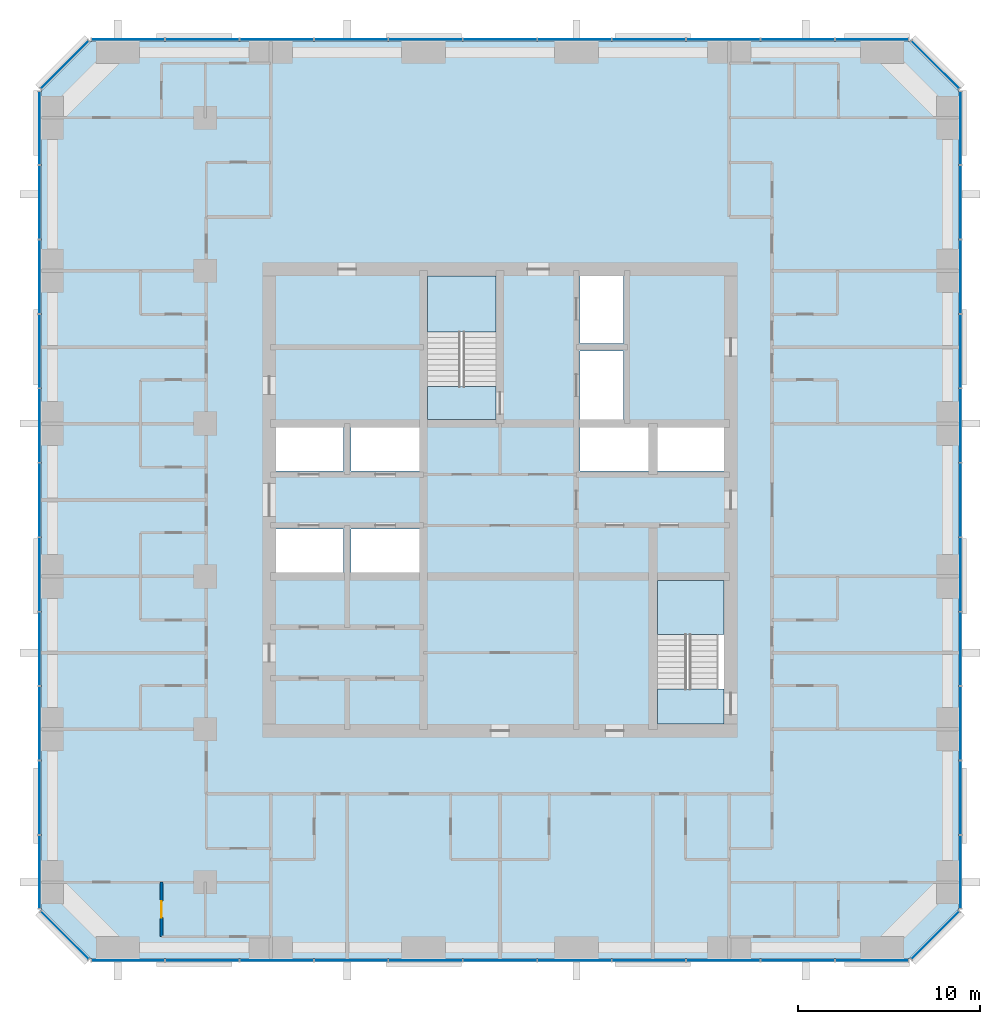
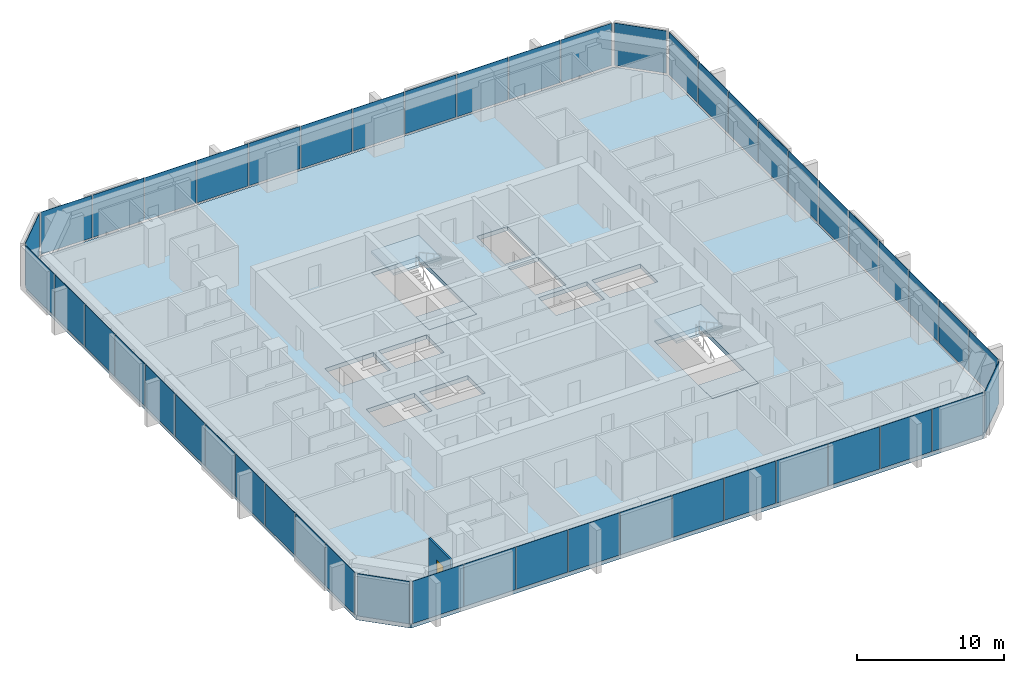
# One storey, part 7 of 13: 48 plates, 5 slabs, 1 door, 1 wall, 1 opening, 10 elements without a shape of their own.
"""IFC4 building model written with IfcOpenShell, lengths in metres."""

from ifc_helpers import new_model, si_unit, direction, frame, frame_2d, origin, origin_2d, place, context, subcontext, project, spatial, polyline, rectangle, outline, extrude, material, layer, layer_set, type_object, element, fill, aggregate, save


model = new_model("IFC4")

# Units and contexts
model_context = context("Model", 3, precision=1e-05, world=origin(), true_north=direction((0.0, 1.0)))
body_context = subcontext(model_context, "Body", "Model", "MODEL_VIEW")
ifc_project = project(units=[si_unit("LENGTHUNIT", "METRE"), si_unit("AREAUNIT", "SQUARE_METRE"), si_unit("VOLUMEUNIT", "CUBIC_METRE"), si_unit("PLANEANGLEUNIT", "RADIAN"), si_unit("MASSUNIT", "GRAM", prefix="KILO")], contexts=[model_context])

# Site, building, storey
site_placement = place(None, origin())
site = spatial("IfcSite", under=ifc_project, at=site_placement, CompositionType="ELEMENT")
building_placement = place(site_placement, origin())
building = spatial("IfcBuilding", under=site, at=building_placement, Name="Dunama Terrace Hotel", CompositionType="ELEMENT")
storey_placement = place(building_placement, frame((0.0, 0.0, 173.39990234375)))
storey = spatial("IfcBuildingStorey", under=building, at=storey_placement, Name="L44", CompositionType="ELEMENT", Elevation=173.39990234375)

# Curtain wall, plates
ifc_material_1 = material(Name="Aluminium curtain wall system", Category="aluminium")
curtain_wall_type = type_object("IfcCurtainWallType", Name="Unitised fritted glass wall CW-C", PredefinedType="NOTDEFINED", material=ifc_material_1)
curtain_wall_1_placement = place(storey_placement, origin())
curtain_wall_1 = element("IfcCurtainWall", 1, at=curtain_wall_1_placement, inside=storey, type_object=curtain_wall_type, Name="Unitised fritted glass wall CW-C L44", PredefinedType="NOTDEFINED")
ifc_material_2 = material(Name="Laminated glass", Category="glass")
ifc_layer_1 = layer(ifc_material_2, 0.031982421875)
ifc_layer_set_1 = layer_set([ifc_layer_1], Name="CWC clear glass panel")
plate_type_1 = type_object("IfcPlateType", Name="CWC clear glass panel", PredefinedType="CURTAIN_PANEL", material=ifc_layer_set_1)
plate_1_placement = place(storey_placement, frame((8.962890625, 4.10009765625, 0.080078125), z_axis=(0.0, 0.0, 1.0), x_axis=(1.0, 0.0, 0.0)))
plate_1 = element("IfcPlate", 2, at=plate_1_placement, type_object=plate_type_1, Name="CWC clear glass panel", PredefinedType="CURTAIN_PANEL", context=body_context, shape_type="SweptSolid", body=[
    extrude(rectangle(XDim=3.98583984375, YDim=0.031982421875, at=origin_2d()), origin(), (0.0, 0.0, 1.0), 3.52001953125),
])
plate_2_placement = place(storey_placement, frame((21.218017578125, 4.10009765625, 0.080078125), z_axis=(0.0, 0.0, 1.0), x_axis=(1.0, 0.0, 0.0)))
plate_2 = element("IfcPlate", 3, at=plate_2_placement, type_object=plate_type_1, Name="CWC clear glass panel", PredefinedType="CURTAIN_PANEL", context=body_context, shape_type="SweptSolid", body=[
    extrude(rectangle(XDim=4.02099609375, YDim=0.031982421875, at=origin_2d()), origin(), (0.0, 0.0, 1.0), 3.52001953125),
])
plate_3_placement = place(storey_placement, frame((33.490966796875, 4.10009765625, 0.080078125), z_axis=(0.0, 0.0, 1.0), x_axis=(1.0, 0.0, 0.0)))
plate_3 = element("IfcPlate", 4, at=plate_3_placement, type_object=plate_type_1, Name="CWC clear glass panel", PredefinedType="CURTAIN_PANEL", context=body_context, shape_type="SweptSolid", body=[
    extrude(rectangle(XDim=4.02099609375, YDim=0.031982421875, at=origin_2d()), origin(), (0.0, 0.0, 1.0), 3.52001953125),
])
plate_4_placement = place(storey_placement, frame((45.763916015625, 4.10009765625, 0.080078125), z_axis=(0.0, 0.0, 1.0), x_axis=(1.0, 0.0, 0.0)))
plate_4 = element("IfcPlate", 5, at=plate_4_placement, type_object=plate_type_1, Name="CWC clear glass panel", PredefinedType="CURTAIN_PANEL", context=body_context, shape_type="SweptSolid", body=[
    extrude(rectangle(XDim=4.02099609375, YDim=0.031982421875, at=origin_2d()), origin(), (0.0, 0.0, 1.0), 3.52001953125),
])

curtain_wall_2_placement = place(storey_placement, origin())
curtain_wall_2 = element("IfcCurtainWall", 6, at=curtain_wall_2_placement, inside=storey, type_object=curtain_wall_type, Name="Unitised fritted glass wall CW-C L44", PredefinedType="NOTDEFINED")
plate_5_placement = place(storey_placement, frame((54.699951171875, 8.962890625, 0.080078125), z_axis=(0.0, 0.0, 1.0), x_axis=(0.0, 1.0, 0.0)))
plate_5 = element("IfcPlate", 7, at=plate_5_placement, type_object=plate_type_1, Name="CWC clear glass panel", PredefinedType="CURTAIN_PANEL", context=body_context, shape_type="SweptSolid", body=[
    extrude(rectangle(XDim=3.98583984375, YDim=0.031982421875, at=origin_2d()), origin(), (0.0, 0.0, 1.0), 3.52001953125),
])
plate_6_placement = place(storey_placement, frame((54.699951171875, 21.218017578125, 0.080078125), z_axis=(0.0, 0.0, 1.0), x_axis=(0.0, 1.0, 0.0)))
plate_6 = element("IfcPlate", 8, at=plate_6_placement, type_object=plate_type_1, Name="CWC clear glass panel", PredefinedType="CURTAIN_PANEL", context=body_context, shape_type="SweptSolid", body=[
    extrude(rectangle(XDim=4.02099609375, YDim=0.031982421875, at=origin_2d()), origin(), (0.0, 0.0, 1.0), 3.52001953125),
])
plate_7_placement = place(storey_placement, frame((54.699951171875, 33.490966796875, 0.080078125), z_axis=(0.0, 0.0, 1.0), x_axis=(0.0, 1.0, 0.0)))
plate_7 = element("IfcPlate", 9, at=plate_7_placement, type_object=plate_type_1, Name="CWC clear glass panel", PredefinedType="CURTAIN_PANEL", context=body_context, shape_type="SweptSolid", body=[
    extrude(rectangle(XDim=4.02099609375, YDim=0.031982421875, at=origin_2d()), origin(), (0.0, 0.0, 1.0), 3.52001953125),
])
plate_8_placement = place(storey_placement, frame((54.699951171875, 45.763916015625, 0.080078125), z_axis=(0.0, 0.0, 1.0), x_axis=(0.0, 1.0, 0.0)))
plate_8 = element("IfcPlate", 10, at=plate_8_placement, type_object=plate_type_1, Name="CWC clear glass panel", PredefinedType="CURTAIN_PANEL", context=body_context, shape_type="SweptSolid", body=[
    extrude(rectangle(XDim=4.02099609375, YDim=0.031982421875, at=origin_2d()), origin(), (0.0, 0.0, 1.0), 3.52001953125),
])

curtain_wall_3_placement = place(storey_placement, origin())
curtain_wall_3 = element("IfcCurtainWall", 11, at=curtain_wall_3_placement, inside=storey, type_object=curtain_wall_type, Name="Unitised fritted glass wall CW-C L44", PredefinedType="NOTDEFINED")
plate_9_placement = place(storey_placement, frame((49.8369140625, 54.699951171875, 0.080078125), z_axis=(0.0, 0.0, 1.0), x_axis=(-1.0, 0.0, 0.0)))
plate_9 = element("IfcPlate", 12, at=plate_9_placement, type_object=plate_type_1, Name="CWC clear glass panel", PredefinedType="CURTAIN_PANEL", context=body_context, shape_type="SweptSolid", body=[
    extrude(rectangle(XDim=3.98583984375, YDim=0.031982421875, at=origin_2d()), origin(), (0.0, 0.0, 1.0), 3.52001953125),
])
plate_10_placement = place(storey_placement, frame((37.58203125, 54.699951171875, 0.080078125), z_axis=(0.0, 0.0, 1.0), x_axis=(-1.0, 0.0, 0.0)))
plate_10 = element("IfcPlate", 13, at=plate_10_placement, type_object=plate_type_1, Name="CWC clear glass panel", PredefinedType="CURTAIN_PANEL", context=body_context, shape_type="SweptSolid", body=[
    extrude(rectangle(XDim=4.02099609375, YDim=0.031982421875, at=origin_2d()), origin(), (0.0, 0.0, 1.0), 3.52001953125),
])
plate_11_placement = place(storey_placement, frame((25.30908203125, 54.699951171875, 0.080078125), z_axis=(0.0, 0.0, 1.0), x_axis=(-1.0, 0.0, 0.0)))
plate_11 = element("IfcPlate", 14, at=plate_11_placement, type_object=plate_type_1, Name="CWC clear glass panel", PredefinedType="CURTAIN_PANEL", context=body_context, shape_type="SweptSolid", body=[
    extrude(rectangle(XDim=4.02099609375, YDim=0.031982421875, at=origin_2d()), origin(), (0.0, 0.0, 1.0), 3.52001953125),
])
plate_12_placement = place(storey_placement, frame((13.035888671875, 54.699951171875, 0.080078125), z_axis=(0.0, 0.0, 1.0), x_axis=(-1.0, 0.0, 0.0)))
plate_12 = element("IfcPlate", 15, at=plate_12_placement, type_object=plate_type_1, Name="CWC clear glass panel", PredefinedType="CURTAIN_PANEL", context=body_context, shape_type="SweptSolid", body=[
    extrude(rectangle(XDim=4.02099609375, YDim=0.031982421875, at=origin_2d()), origin(), (0.0, 0.0, 1.0), 3.52001953125),
])

curtain_wall_4_placement = place(storey_placement, origin())
curtain_wall_4 = element("IfcCurtainWall", 16, at=curtain_wall_4_placement, inside=storey, type_object=curtain_wall_type, Name="Unitised fritted glass wall CW-C L44", PredefinedType="NOTDEFINED")
plate_13_placement = place(storey_placement, frame((4.10009765625, 49.8369140625, 0.080078125), z_axis=(0.0, 0.0, 1.0), x_axis=(0.0, -1.0, 0.0)))
plate_13 = element("IfcPlate", 17, at=plate_13_placement, type_object=plate_type_1, Name="CWC clear glass panel", PredefinedType="CURTAIN_PANEL", context=body_context, shape_type="SweptSolid", body=[
    extrude(rectangle(XDim=3.98583984375, YDim=0.031982421875, at=origin_2d()), origin(), (0.0, 0.0, 1.0), 3.52001953125),
])
plate_14_placement = place(storey_placement, frame((4.10009765625, 37.58203125, 0.080078125), z_axis=(0.0, 0.0, 1.0), x_axis=(0.0, -1.0, 0.0)))
plate_14 = element("IfcPlate", 18, at=plate_14_placement, type_object=plate_type_1, Name="CWC clear glass panel", PredefinedType="CURTAIN_PANEL", context=body_context, shape_type="SweptSolid", body=[
    extrude(rectangle(XDim=4.02099609375, YDim=0.031982421875, at=origin_2d()), origin(), (0.0, 0.0, 1.0), 3.52001953125),
])
plate_15_placement = place(storey_placement, frame((4.10009765625, 25.30908203125, 0.080078125), z_axis=(0.0, 0.0, 1.0), x_axis=(0.0, -1.0, 0.0)))
plate_15 = element("IfcPlate", 19, at=plate_15_placement, type_object=plate_type_1, Name="CWC clear glass panel", PredefinedType="CURTAIN_PANEL", context=body_context, shape_type="SweptSolid", body=[
    extrude(rectangle(XDim=4.02099609375, YDim=0.031982421875, at=origin_2d()), origin(), (0.0, 0.0, 1.0), 3.52001953125),
])
plate_16_placement = place(storey_placement, frame((4.10009765625, 13.035888671875, 0.080078125), z_axis=(0.0, 0.0, 1.0), x_axis=(0.0, -1.0, 0.0)))
plate_16 = element("IfcPlate", 20, at=plate_16_placement, type_object=plate_type_1, Name="CWC clear glass panel", PredefinedType="CURTAIN_PANEL", context=body_context, shape_type="SweptSolid", body=[
    extrude(rectangle(XDim=4.02099609375, YDim=0.031982421875, at=origin_2d()), origin(), (0.0, 0.0, 1.0), 3.52001953125),
])

# Plate
ifc_material_3 = material(Name="Fritted laminated glass", Category="glass")
ifc_layer_2 = layer(ifc_material_3, 0.031982421875)
ifc_layer_set_2 = layer_set([ifc_layer_2], Name="CWC fritted glass panel")
plate_type_2 = type_object("IfcPlateType", Name="CWC fritted glass panel", PredefinedType="CURTAIN_PANEL", material=ifc_layer_set_2)
plate_17_placement = place(storey_placement, frame((17.126953125, 4.10009765625, 0.080078125), z_axis=(0.0, 0.0, 1.0), x_axis=(1.0, 0.0, 0.0)))
plate_17 = element("IfcPlate", 21, at=plate_17_placement, type_object=plate_type_2, Name="CWC fritted glass panel", PredefinedType="CURTAIN_PANEL", context=body_context, shape_type="SweptSolid", body=[
    extrude(rectangle(XDim=4.02099609375, YDim=0.031982421875, at=origin_2d()), origin(), (0.0, 0.0, 1.0), 3.52001953125),
])

plate_18_placement = place(storey_placement, frame((29.39990234375, 4.10009765625, 0.080078125), z_axis=(0.0, 0.0, 1.0), x_axis=(1.0, 0.0, 0.0)))
plate_18 = element("IfcPlate", 22, at=plate_18_placement, type_object=plate_type_2, Name="CWC fritted glass panel", PredefinedType="CURTAIN_PANEL", context=body_context, shape_type="SweptSolid", body=[
    extrude(rectangle(XDim=4.02099609375, YDim=0.031982421875, at=origin_2d()), origin(), (0.0, 0.0, 1.0), 3.52001953125),
])

plate_19_placement = place(storey_placement, frame((41.673095703125, 4.10009765625, 0.080078125), z_axis=(0.0, 0.0, 1.0), x_axis=(1.0, 0.0, 0.0)))
plate_19 = element("IfcPlate", 23, at=plate_19_placement, type_object=plate_type_2, Name="CWC fritted glass panel", PredefinedType="CURTAIN_PANEL", context=body_context, shape_type="SweptSolid", body=[
    extrude(rectangle(XDim=4.02099609375, YDim=0.031982421875, at=origin_2d()), origin(), (0.0, 0.0, 1.0), 3.52001953125),
])

# Curtain wall, plate
curtain_wall_5_placement = place(storey_placement, origin())
curtain_wall_5 = element("IfcCurtainWall", 24, at=curtain_wall_5_placement, inside=storey, type_object=curtain_wall_type, Name="Unitised fritted glass wall CW-C L44", PredefinedType="NOTDEFINED")
plate_20_placement = place(storey_placement, frame((53.321044921875, 5.47900390625, 0.080078125), z_axis=(0.0, 0.0, 1.0), x_axis=(0.707106781187, 0.707106781187, 0.0)))
plate_20 = element("IfcPlate", 25, at=plate_20_placement, type_object=plate_type_2, Name="CWC fritted glass panel", PredefinedType="CURTAIN_PANEL", context=body_context, shape_type="SweptSolid", body=[
    extrude(rectangle(XDim=3.678466796875, YDim=0.031982421875, at=origin_2d()), origin(), (0.0, 0.0, 1.0), 3.52001953125),
])
aggregate(curtain_wall_5, [plate_20])

# Plate
plate_21_placement = place(storey_placement, frame((54.699951171875, 17.126953125, 0.080078125), z_axis=(0.0, 0.0, 1.0), x_axis=(0.0, 1.0, 0.0)))
plate_21 = element("IfcPlate", 26, at=plate_21_placement, type_object=plate_type_2, Name="CWC fritted glass panel", PredefinedType="CURTAIN_PANEL", context=body_context, shape_type="SweptSolid", body=[
    extrude(rectangle(XDim=4.02099609375, YDim=0.031982421875, at=origin_2d()), origin(), (0.0, 0.0, 1.0), 3.52001953125),
])

plate_22_placement = place(storey_placement, frame((54.699951171875, 29.39990234375, 0.080078125), z_axis=(0.0, 0.0, 1.0), x_axis=(0.0, 1.0, 0.0)))
plate_22 = element("IfcPlate", 27, at=plate_22_placement, type_object=plate_type_2, Name="CWC fritted glass panel", PredefinedType="CURTAIN_PANEL", context=body_context, shape_type="SweptSolid", body=[
    extrude(rectangle(XDim=4.02099609375, YDim=0.031982421875, at=origin_2d()), origin(), (0.0, 0.0, 1.0), 3.52001953125),
])

plate_23_placement = place(storey_placement, frame((54.699951171875, 41.673095703125, 0.080078125), z_axis=(0.0, 0.0, 1.0), x_axis=(0.0, 1.0, 0.0)))
plate_23 = element("IfcPlate", 28, at=plate_23_placement, type_object=plate_type_2, Name="CWC fritted glass panel", PredefinedType="CURTAIN_PANEL", context=body_context, shape_type="SweptSolid", body=[
    extrude(rectangle(XDim=4.02099609375, YDim=0.031982421875, at=origin_2d()), origin(), (0.0, 0.0, 1.0), 3.52001953125),
])

# Curtain wall, plate
curtain_wall_6_placement = place(storey_placement, origin())
curtain_wall_6 = element("IfcCurtainWall", 29, at=curtain_wall_6_placement, inside=storey, type_object=curtain_wall_type, Name="Unitised fritted glass wall CW-C L44", PredefinedType="NOTDEFINED")
plate_24_placement = place(storey_placement, frame((53.321044921875, 53.321044921875, 0.080078125), z_axis=(0.0, 0.0, 1.0), x_axis=(-0.707106781187, 0.707106781187, 0.0)))
plate_24 = element("IfcPlate", 30, at=plate_24_placement, type_object=plate_type_2, Name="CWC fritted glass panel", PredefinedType="CURTAIN_PANEL", context=body_context, shape_type="SweptSolid", body=[
    extrude(rectangle(XDim=3.678466796875, YDim=0.031982421875, at=origin_2d()), origin(), (0.0, 0.0, 1.0), 3.52001953125),
])
aggregate(curtain_wall_6, [plate_24])

# Plate
plate_25_placement = place(storey_placement, frame((41.673095703125, 54.699951171875, 0.080078125), z_axis=(0.0, 0.0, 1.0), x_axis=(-1.0, 0.0, 0.0)))
plate_25 = element("IfcPlate", 31, at=plate_25_placement, type_object=plate_type_2, Name="CWC fritted glass panel", PredefinedType="CURTAIN_PANEL", context=body_context, shape_type="SweptSolid", body=[
    extrude(rectangle(XDim=4.02099609375, YDim=0.031982421875, at=origin_2d()), origin(), (0.0, 0.0, 1.0), 3.52001953125),
])

plate_26_placement = place(storey_placement, frame((29.39990234375, 54.699951171875, 0.080078125), z_axis=(0.0, 0.0, 1.0), x_axis=(-1.0, 0.0, 0.0)))
plate_26 = element("IfcPlate", 32, at=plate_26_placement, type_object=plate_type_2, Name="CWC fritted glass panel", PredefinedType="CURTAIN_PANEL", context=body_context, shape_type="SweptSolid", body=[
    extrude(rectangle(XDim=4.02099609375, YDim=0.031982421875, at=origin_2d()), origin(), (0.0, 0.0, 1.0), 3.52001953125),
])

plate_27_placement = place(storey_placement, frame((17.126953125, 54.699951171875, 0.080078125), z_axis=(0.0, 0.0, 1.0), x_axis=(-1.0, 0.0, 0.0)))
plate_27 = element("IfcPlate", 33, at=plate_27_placement, type_object=plate_type_2, Name="CWC fritted glass panel", PredefinedType="CURTAIN_PANEL", context=body_context, shape_type="SweptSolid", body=[
    extrude(rectangle(XDim=4.02099609375, YDim=0.031982421875, at=origin_2d()), origin(), (0.0, 0.0, 1.0), 3.52001953125),
])

# Curtain wall, plate
curtain_wall_7_placement = place(storey_placement, origin())
curtain_wall_7 = element("IfcCurtainWall", 34, at=curtain_wall_7_placement, inside=storey, type_object=curtain_wall_type, Name="Unitised fritted glass wall CW-C L44", PredefinedType="NOTDEFINED")
plate_28_placement = place(storey_placement, frame((5.47900390625, 53.321044921875, 0.080078125), z_axis=(0.0, 0.0, 1.0), x_axis=(-0.707106781187, -0.707106781187, 0.0)))
plate_28 = element("IfcPlate", 35, at=plate_28_placement, type_object=plate_type_2, Name="CWC fritted glass panel", PredefinedType="CURTAIN_PANEL", context=body_context, shape_type="SweptSolid", body=[
    extrude(rectangle(XDim=3.678466796875, YDim=0.031982421875, at=origin_2d()), origin(), (0.0, 0.0, 1.0), 3.52001953125),
])
aggregate(curtain_wall_7, [plate_28])

# Plate
plate_29_placement = place(storey_placement, frame((4.10009765625, 41.673095703125, 0.080078125), z_axis=(0.0, 0.0, 1.0), x_axis=(0.0, -1.0, 0.0)))
plate_29 = element("IfcPlate", 36, at=plate_29_placement, type_object=plate_type_2, Name="CWC fritted glass panel", PredefinedType="CURTAIN_PANEL", context=body_context, shape_type="SweptSolid", body=[
    extrude(rectangle(XDim=4.02099609375, YDim=0.031982421875, at=origin_2d()), origin(), (0.0, 0.0, 1.0), 3.52001953125),
])

plate_30_placement = place(storey_placement, frame((4.10009765625, 29.39990234375, 0.080078125), z_axis=(0.0, 0.0, 1.0), x_axis=(0.0, -1.0, 0.0)))
plate_30 = element("IfcPlate", 37, at=plate_30_placement, type_object=plate_type_2, Name="CWC fritted glass panel", PredefinedType="CURTAIN_PANEL", context=body_context, shape_type="SweptSolid", body=[
    extrude(rectangle(XDim=4.02099609375, YDim=0.031982421875, at=origin_2d()), origin(), (0.0, 0.0, 1.0), 3.52001953125),
])

plate_31_placement = place(storey_placement, frame((4.10009765625, 17.126953125, 0.080078125), z_axis=(0.0, 0.0, 1.0), x_axis=(0.0, -1.0, 0.0)))
plate_31 = element("IfcPlate", 38, at=plate_31_placement, type_object=plate_type_2, Name="CWC fritted glass panel", PredefinedType="CURTAIN_PANEL", context=body_context, shape_type="SweptSolid", body=[
    extrude(rectangle(XDim=4.02099609375, YDim=0.031982421875, at=origin_2d()), origin(), (0.0, 0.0, 1.0), 3.52001953125),
])

# Curtain wall, plate
curtain_wall_8_placement = place(storey_placement, origin())
curtain_wall_8 = element("IfcCurtainWall", 39, at=curtain_wall_8_placement, inside=storey, type_object=curtain_wall_type, Name="Unitised fritted glass wall CW-C L44", PredefinedType="NOTDEFINED")
plate_32_placement = place(storey_placement, frame((5.47900390625, 5.47900390625, 0.080078125), z_axis=(0.0, 0.0, 1.0), x_axis=(0.707106781187, -0.707106781187, 0.0)))
plate_32 = element("IfcPlate", 40, at=plate_32_placement, type_object=plate_type_2, Name="CWC fritted glass panel", PredefinedType="CURTAIN_PANEL", context=body_context, shape_type="SweptSolid", body=[
    extrude(rectangle(XDim=3.678466796875, YDim=0.031982421875, at=origin_2d()), origin(), (0.0, 0.0, 1.0), 3.52001953125),
])
aggregate(curtain_wall_8, [plate_32])

# Plate
ifc_material_4 = material(Name="Laminated glass", Category="glass")
ifc_layer_3 = layer(ifc_material_4, 0.031982421875)
ifc_layer_set_3 = layer_set([ifc_layer_3], Name="CWC operable glass panel")
plate_type_3 = type_object("IfcPlateType", Name="CWC operable glass panel", PredefinedType="CURTAIN_PANEL", material=ifc_layer_set_3)
plate_33_placement = place(storey_placement, frame((13.035888671875, 4.10009765625, 0.080078125), z_axis=(0.0, 0.0, 1.0), x_axis=(1.0, 0.0, 0.0)))
plate_33 = element("IfcPlate", 41, at=plate_33_placement, type_object=plate_type_3, Name="CWC operable glass panel", PredefinedType="CURTAIN_PANEL", context=body_context, shape_type="SweptSolid", body=[
    extrude(rectangle(XDim=4.02099609375, YDim=0.031982421875, at=origin_2d()), origin(), (0.0, 0.0, 1.0), 3.52001953125),
])

plate_34_placement = place(storey_placement, frame((25.30908203125, 4.10009765625, 0.080078125), z_axis=(0.0, 0.0, 1.0), x_axis=(1.0, 0.0, 0.0)))
plate_34 = element("IfcPlate", 42, at=plate_34_placement, type_object=plate_type_3, Name="CWC operable glass panel", PredefinedType="CURTAIN_PANEL", context=body_context, shape_type="SweptSolid", body=[
    extrude(rectangle(XDim=4.02099609375, YDim=0.031982421875, at=origin_2d()), origin(), (0.0, 0.0, 1.0), 3.52001953125),
])

plate_35_placement = place(storey_placement, frame((37.58203125, 4.10009765625, 0.080078125), z_axis=(0.0, 0.0, 1.0), x_axis=(1.0, 0.0, 0.0)))
plate_35 = element("IfcPlate", 43, at=plate_35_placement, type_object=plate_type_3, Name="CWC operable glass panel", PredefinedType="CURTAIN_PANEL", context=body_context, shape_type="SweptSolid", body=[
    extrude(rectangle(XDim=4.02099609375, YDim=0.031982421875, at=origin_2d()), origin(), (0.0, 0.0, 1.0), 3.52001953125),
])

plate_36_placement = place(storey_placement, frame((49.8369140625, 4.10009765625, 0.080078125), z_axis=(0.0, 0.0, 1.0), x_axis=(1.0, 0.0, 0.0)))
plate_36 = element("IfcPlate", 44, at=plate_36_placement, type_object=plate_type_3, Name="CWC operable glass panel", PredefinedType="CURTAIN_PANEL", context=body_context, shape_type="SweptSolid", body=[
    extrude(rectangle(XDim=3.98583984375, YDim=0.031982421875, at=origin_2d()), origin(), (0.0, 0.0, 1.0), 3.52001953125),
])

aggregate(curtain_wall_1, [plate_1, plate_33, plate_17, plate_2, plate_34, plate_18, plate_3, plate_35, plate_19, plate_4, plate_36])

plate_37_placement = place(storey_placement, frame((54.699951171875, 13.035888671875, 0.080078125), z_axis=(0.0, 0.0, 1.0), x_axis=(0.0, 1.0, 0.0)))
plate_37 = element("IfcPlate", 45, at=plate_37_placement, type_object=plate_type_3, Name="CWC operable glass panel", PredefinedType="CURTAIN_PANEL", context=body_context, shape_type="SweptSolid", body=[
    extrude(rectangle(XDim=4.02099609375, YDim=0.031982421875, at=origin_2d()), origin(), (0.0, 0.0, 1.0), 3.52001953125),
])

plate_38_placement = place(storey_placement, frame((54.699951171875, 25.30908203125, 0.080078125), z_axis=(0.0, 0.0, 1.0), x_axis=(0.0, 1.0, 0.0)))
plate_38 = element("IfcPlate", 46, at=plate_38_placement, type_object=plate_type_3, Name="CWC operable glass panel", PredefinedType="CURTAIN_PANEL", context=body_context, shape_type="SweptSolid", body=[
    extrude(rectangle(XDim=4.02099609375, YDim=0.031982421875, at=origin_2d()), origin(), (0.0, 0.0, 1.0), 3.52001953125),
])

plate_39_placement = place(storey_placement, frame((54.699951171875, 37.58203125, 0.080078125), z_axis=(0.0, 0.0, 1.0), x_axis=(0.0, 1.0, 0.0)))
plate_39 = element("IfcPlate", 47, at=plate_39_placement, type_object=plate_type_3, Name="CWC operable glass panel", PredefinedType="CURTAIN_PANEL", context=body_context, shape_type="SweptSolid", body=[
    extrude(rectangle(XDim=4.02099609375, YDim=0.031982421875, at=origin_2d()), origin(), (0.0, 0.0, 1.0), 3.52001953125),
])

plate_40_placement = place(storey_placement, frame((54.699951171875, 49.8369140625, 0.080078125), z_axis=(0.0, 0.0, 1.0), x_axis=(0.0, 1.0, 0.0)))
plate_40 = element("IfcPlate", 48, at=plate_40_placement, type_object=plate_type_3, Name="CWC operable glass panel", PredefinedType="CURTAIN_PANEL", context=body_context, shape_type="SweptSolid", body=[
    extrude(rectangle(XDim=3.98583984375, YDim=0.031982421875, at=origin_2d()), origin(), (0.0, 0.0, 1.0), 3.52001953125),
])

aggregate(curtain_wall_2, [plate_5, plate_37, plate_21, plate_6, plate_38, plate_22, plate_7, plate_39, plate_23, plate_8, plate_40])

plate_41_placement = place(storey_placement, frame((45.763916015625, 54.699951171875, 0.080078125), z_axis=(0.0, 0.0, 1.0), x_axis=(-1.0, 0.0, 0.0)))
plate_41 = element("IfcPlate", 49, at=plate_41_placement, type_object=plate_type_3, Name="CWC operable glass panel", PredefinedType="CURTAIN_PANEL", context=body_context, shape_type="SweptSolid", body=[
    extrude(rectangle(XDim=4.02099609375, YDim=0.031982421875, at=origin_2d()), origin(), (0.0, 0.0, 1.0), 3.52001953125),
])

plate_42_placement = place(storey_placement, frame((33.490966796875, 54.699951171875, 0.080078125), z_axis=(0.0, 0.0, 1.0), x_axis=(-1.0, 0.0, 0.0)))
plate_42 = element("IfcPlate", 50, at=plate_42_placement, type_object=plate_type_3, Name="CWC operable glass panel", PredefinedType="CURTAIN_PANEL", context=body_context, shape_type="SweptSolid", body=[
    extrude(rectangle(XDim=4.02099609375, YDim=0.031982421875, at=origin_2d()), origin(), (0.0, 0.0, 1.0), 3.52001953125),
])

plate_43_placement = place(storey_placement, frame((21.218017578125, 54.699951171875, 0.080078125), z_axis=(0.0, 0.0, 1.0), x_axis=(-1.0, 0.0, 0.0)))
plate_43 = element("IfcPlate", 51, at=plate_43_placement, type_object=plate_type_3, Name="CWC operable glass panel", PredefinedType="CURTAIN_PANEL", context=body_context, shape_type="SweptSolid", body=[
    extrude(rectangle(XDim=4.02099609375, YDim=0.031982421875, at=origin_2d()), origin(), (0.0, 0.0, 1.0), 3.52001953125),
])

plate_44_placement = place(storey_placement, frame((8.962890625, 54.699951171875, 0.080078125), z_axis=(0.0, 0.0, 1.0), x_axis=(-1.0, 0.0, 0.0)))
plate_44 = element("IfcPlate", 52, at=plate_44_placement, type_object=plate_type_3, Name="CWC operable glass panel", PredefinedType="CURTAIN_PANEL", context=body_context, shape_type="SweptSolid", body=[
    extrude(rectangle(XDim=3.98583984375, YDim=0.031982421875, at=origin_2d()), origin(), (0.0, 0.0, 1.0), 3.52001953125),
])

aggregate(curtain_wall_3, [plate_9, plate_41, plate_25, plate_10, plate_42, plate_26, plate_11, plate_43, plate_27, plate_12, plate_44])

plate_45_placement = place(storey_placement, frame((4.10009765625, 45.763916015625, 0.080078125), z_axis=(0.0, 0.0, 1.0), x_axis=(0.0, -1.0, 0.0)))
plate_45 = element("IfcPlate", 53, at=plate_45_placement, type_object=plate_type_3, Name="CWC operable glass panel", PredefinedType="CURTAIN_PANEL", context=body_context, shape_type="SweptSolid", body=[
    extrude(rectangle(XDim=4.02099609375, YDim=0.031982421875, at=origin_2d()), origin(), (0.0, 0.0, 1.0), 3.52001953125),
])

plate_46_placement = place(storey_placement, frame((4.10009765625, 33.490966796875, 0.080078125), z_axis=(0.0, 0.0, 1.0), x_axis=(0.0, -1.0, 0.0)))
plate_46 = element("IfcPlate", 54, at=plate_46_placement, type_object=plate_type_3, Name="CWC operable glass panel", PredefinedType="CURTAIN_PANEL", context=body_context, shape_type="SweptSolid", body=[
    extrude(rectangle(XDim=4.02099609375, YDim=0.031982421875, at=origin_2d()), origin(), (0.0, 0.0, 1.0), 3.52001953125),
])

plate_47_placement = place(storey_placement, frame((4.10009765625, 21.218017578125, 0.080078125), z_axis=(0.0, 0.0, 1.0), x_axis=(0.0, -1.0, 0.0)))
plate_47 = element("IfcPlate", 55, at=plate_47_placement, type_object=plate_type_3, Name="CWC operable glass panel", PredefinedType="CURTAIN_PANEL", context=body_context, shape_type="SweptSolid", body=[
    extrude(rectangle(XDim=4.02099609375, YDim=0.031982421875, at=origin_2d()), origin(), (0.0, 0.0, 1.0), 3.52001953125),
])

plate_48_placement = place(storey_placement, frame((4.10009765625, 8.962890625, 0.080078125), z_axis=(0.0, 0.0, 1.0), x_axis=(0.0, -1.0, 0.0)))
plate_48 = element("IfcPlate", 56, at=plate_48_placement, type_object=plate_type_3, Name="CWC operable glass panel", PredefinedType="CURTAIN_PANEL", context=body_context, shape_type="SweptSolid", body=[
    extrude(rectangle(XDim=3.98583984375, YDim=0.031982421875, at=origin_2d()), origin(), (0.0, 0.0, 1.0), 3.52001953125),
])

aggregate(curtain_wall_4, [plate_13, plate_45, plate_29, plate_14, plate_46, plate_30, plate_15, plate_47, plate_31, plate_16, plate_48])

# Slab
ifc_material_5 = material(Name="Concrete C40/50", Category="concrete")
ifc_layer_4 = layer(ifc_material_5, 0.35009765625)
ifc_layer_set_4 = layer_set([ifc_layer_4], Name="Flat plate 350")
slab_type_1 = type_object("IfcSlabType", Name="Flat plate 350", PredefinedType="FLOOR", material=ifc_layer_set_4)
slab_1_placement = place(storey_placement, frame((0.0, 0.0, -0.349853515625)))
element("IfcSlab", 57, at=slab_1_placement, inside=storey, type_object=slab_type_1, Name="Floor slab L44", PredefinedType="FLOOR", context=body_context, shape_type="SweptSolid", body=[
    extrude(outline(polyline([(6.89990234375, 4.199951171875), (51.89990234375, 4.199951171875), (54.60009765625, 6.89990234375), (54.60009765625, 51.89990234375), (51.89990234375, 54.60009765625), (6.89990234375, 54.60009765625), (4.199951171875, 51.89990234375), (4.199951171875, 6.89990234375), (6.89990234375, 4.199951171875)]), holes=[polyline([(20.800048828125, 25.39990234375), (20.800048828125, 27.800048828125), (17.0, 27.800048828125), (17.0, 25.39990234375), (20.800048828125, 25.39990234375)]), polyline([(25.0, 25.39990234375), (25.0, 27.800048828125), (21.199951171875, 27.800048828125), (21.199951171875, 25.39990234375), (25.0, 25.39990234375)]), polyline([(20.800048828125, 31.0), (20.800048828125, 33.39990234375), (17.0, 33.39990234375), (17.0, 31.0), (20.800048828125, 31.0)]), polyline([(25.0, 31.0), (25.0, 33.39990234375), (21.199951171875, 33.39990234375), (21.199951171875, 31.0), (25.0, 31.0)]), polyline([(37.60009765625, 31.0), (37.60009765625, 33.39990234375), (33.800048828125, 33.39990234375), (33.800048828125, 31.0), (37.60009765625, 31.0)]), polyline([(41.800048828125, 31.0), (41.800048828125, 33.39990234375), (38.0, 33.39990234375), (38.0, 31.0), (41.800048828125, 31.0)]), polyline([(36.199951171875, 38.0), (36.199951171875, 41.800048828125), (33.800048828125, 41.800048828125), (33.800048828125, 38.0), (36.199951171875, 38.0)]), polyline([(36.199951171875, 33.800048828125), (36.199951171875, 37.60009765625), (33.800048828125, 37.60009765625), (33.800048828125, 33.800048828125), (36.199951171875, 33.800048828125)]), polyline([(29.175048828125, 33.824951171875), (29.175048828125, 41.699951171875), (25.425048828125, 41.699951171875), (25.425048828125, 33.824951171875), (29.175048828125, 33.824951171875)]), polyline([(41.699951171875, 17.10009765625), (41.699951171875, 24.97509765625), (38.050048828125, 24.97509765625), (38.050048828125, 17.10009765625), (41.699951171875, 17.10009765625)])]), origin(), (0.0, 0.0, 1.0), 0.349853515625),
])

# Stair, slabs
ifc_material_6 = material(Name="Concrete C40/50", Category="concrete")
stair_type_1 = type_object("IfcStairType", Name="Stair ST1-3600-1800", PredefinedType="HALF_TURN_STAIR", material=ifc_material_6)
stair_1_placement = place(storey_placement, origin())
stair_1 = element("IfcStair", 58, at=stair_1_placement, inside=storey, type_object=stair_type_1, Name="Stair ST1 L44", PredefinedType="HALF_TURN_STAIR")
ifc_material_7 = material(Name="Concrete C40/50", Category="concrete")
ifc_layer_5 = layer(ifc_material_7, 0.199951171875)
ifc_layer_set_5 = layer_set([ifc_layer_5], Name="Stair landing 200")
slab_type_2 = type_object("IfcSlabType", Name="Stair landing 200", PredefinedType="LANDING", material=ifc_layer_set_5)
slab_2_placement = place(storey_placement, frame((0.0, 0.0, -0.199951171875)))
slab_2 = element("IfcSlab", 59, at=slab_2_placement, type_object=slab_type_2, Name="ST1 landing 1, type S10", PredefinedType="LANDING", context=body_context, shape_type="SweptSolid", body=[
    extrude(outline(polyline([(25.425048828125, 33.824951171875), (29.175048828125, 33.824951171875), (29.175048828125, 35.625), (25.425048828125, 35.625), (25.425048828125, 33.824951171875)])), origin(), (0.0, 0.0, 1.0), 0.199951171875),
])
slab_3_placement = place(storey_placement, frame((0.0, 0.0, 1.60009765625)))
slab_3 = element("IfcSlab", 60, at=slab_3_placement, type_object=slab_type_2, Name="ST1 landing 2, type S10", PredefinedType="LANDING", context=body_context, shape_type="SweptSolid", body=[
    extrude(outline(polyline([(25.425048828125, 38.625), (29.175048828125, 38.625), (29.175048828125, 41.699951171875), (25.425048828125, 41.699951171875), (25.425048828125, 38.625)])), origin(), (0.0, 0.0, 1.0), 0.199951171875),
])
aggregate(stair_1, [slab_2, slab_3])

ifc_material_8 = material(Name="Concrete C40/50", Category="concrete")
stair_type_2 = type_object("IfcStairType", Name="Stair ST2-3600-1600", PredefinedType="HALF_TURN_STAIR", material=ifc_material_8)
stair_2_placement = place(storey_placement, origin())
stair_2 = element("IfcStair", 61, at=stair_2_placement, inside=storey, type_object=stair_type_2, Name="Stair ST2 L44", PredefinedType="HALF_TURN_STAIR")
slab_4_placement = place(storey_placement, frame((0.0, 0.0, -0.199951171875)))
slab_4 = element("IfcSlab", 62, at=slab_4_placement, type_object=slab_type_2, Name="ST2 landing 1, type S10", PredefinedType="LANDING", context=body_context, shape_type="SweptSolid", body=[
    extrude(outline(polyline([(38.050048828125, 17.10009765625), (41.699951171875, 17.10009765625), (41.699951171875, 19.0), (38.050048828125, 19.0), (38.050048828125, 17.10009765625)])), origin(), (0.0, 0.0, 1.0), 0.199951171875),
])
slab_5_placement = place(storey_placement, frame((0.0, 0.0, 1.60009765625)))
slab_5 = element("IfcSlab", 63, at=slab_5_placement, type_object=slab_type_2, Name="ST2 landing 2, type S10", PredefinedType="LANDING", context=body_context, shape_type="SweptSolid", body=[
    extrude(outline(polyline([(38.050048828125, 22.0), (41.699951171875, 22.0), (41.699951171875, 24.97509765625), (38.050048828125, 24.97509765625), (38.050048828125, 22.0)])), origin(), (0.0, 0.0, 1.0), 0.199951171875),
])
aggregate(stair_2, [slab_4, slab_5])

# Wall, opening, door
ifc_material_9 = material(Name="Gypsum board partition", Category="masonry")
ifc_layer_6 = layer(ifc_material_9, 0.14990234375)
ifc_layer_set_6 = layer_set([ifc_layer_6], Name="Room partition 150")
wall_type = type_object("IfcWallType", Name="Room partition 150", PredefinedType="PARTITIONING", material=ifc_layer_set_6)
wall_placement = place(storey_placement, frame((10.800048828125, 5.39990234375, 0.0), z_axis=(0.0, 0.0, 1.0), x_axis=(0.0, 1.0, 0.0)))
wall = element("IfcWall", 64, at=wall_placement, inside=storey, type_object=wall_type, Name="Room partition 150 L44", PredefinedType="PARTITIONING", context=body_context, shape_type="SweptSolid", body=[
    extrude(rectangle(XDim=3.0, YDim=0.14990234375, at=frame_2d((1.5, 0.0))), origin(), (0.0, 0.0, 1.0), 3.25),
])
opening_placement = place(wall_placement, frame((1.050048828125, 0.0, 0.0)))
opening = element("IfcOpeningElement", 65, at=opening_placement, cuts=wall, Name="Opening L42-44-042", PredefinedType="OPENING", context=body_context, shape_type="SweptSolid", body=[
    extrude(rectangle(XDim=0.89990234375, YDim=2.10009765625, at=frame_2d((0.449951171875, 1.050048828125))), frame((0.0, 0.0849609375, 0.0), z_axis=(0.0, -1.0, 0.0), x_axis=(1.0, 0.0, 0.0)), (0.0, 0.0, 1.0), 0.169921875),
])
ifc_material_10 = material(Name="Timber door with steel frame", Category="steel")
door_type = type_object("IfcDoorType", Name="Suite internal door 900", OperationType="SINGLE_SWING_LEFT", PredefinedType="DOOR", material=ifc_material_10)
door_placement = place(opening_placement, frame((0.89990234375, 0.0, 0.0), z_axis=(0.0, 0.0, 1.0), x_axis=(-1.0, 0.0, 0.0)))
door = element("IfcDoor", 66, at=door_placement, inside=storey, type_object=door_type, Name="Door to dressing room L42-44-042, type D16", OperationType="SINGLE_SWING_LEFT", OverallHeight=2.10009765625, OverallWidth=0.89990234375, PredefinedType="DOOR", context=body_context, shape_type="SweptSolid", body=[
    extrude(rectangle(XDim=0.89990234375, YDim=2.10009765625, at=frame_2d((0.449951171875, 1.050048828125))), frame((0.0, 0.025146484375, 0.0), z_axis=(0.0, -1.0, 0.0), x_axis=(1.0, 0.0, 0.0)), (0.0, 0.0, 1.0), 0.050048828125),
])
fill(opening, door)

save(model, "model.ifc")
